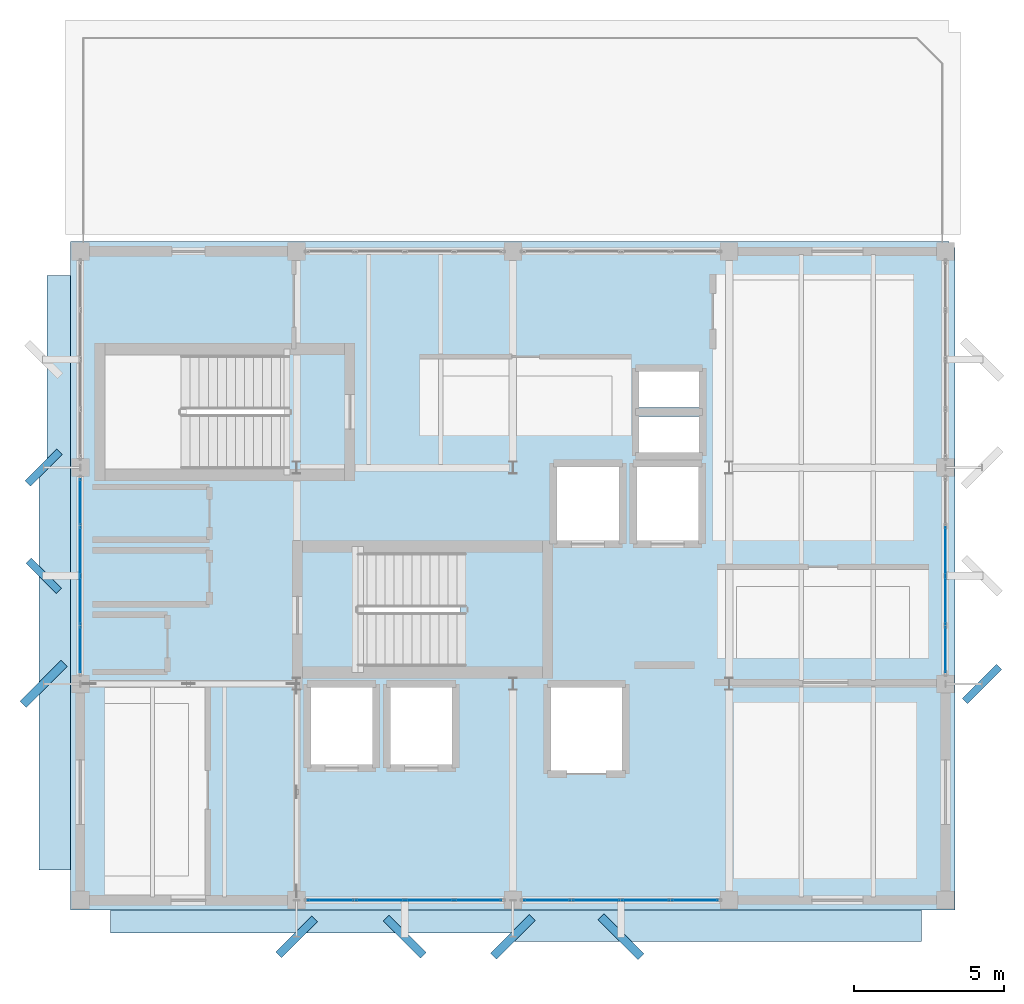
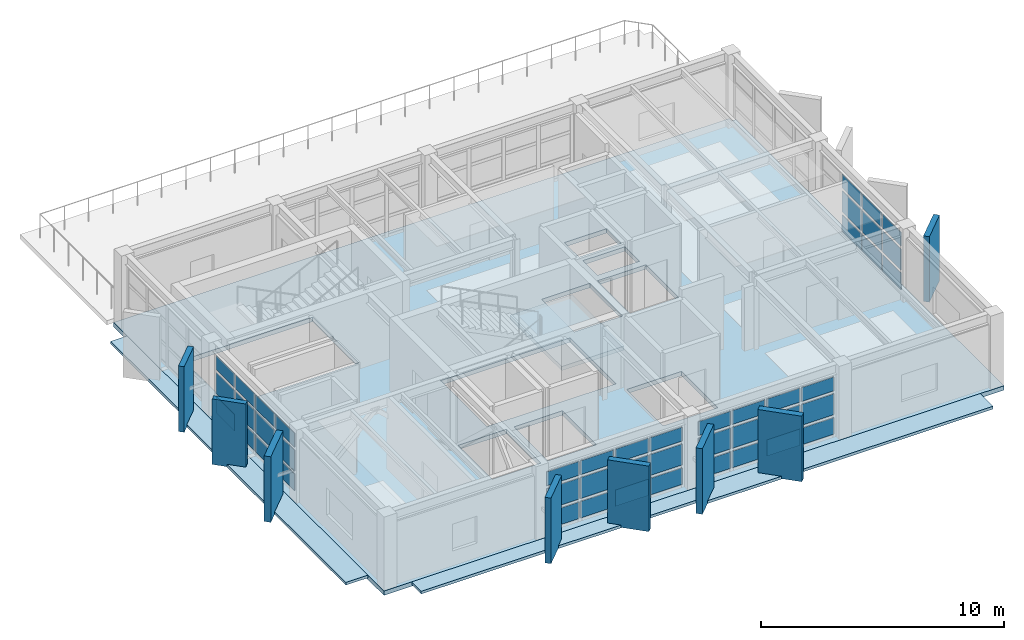
# One storey, part 9 of 16: 53 plates, 4 slabs, 5 elements without a shape of their own.
"""IFC4 building model written with IfcOpenShell, lengths in metres."""

import ifcopenshell
import ifcopenshell.guid

model = None  # the IFC model being written
_history = None  # IfcOwnerHistory: only IFC2X3 demands one
_inside = {}  # id of a spatial element -> (the spatial element, [elements in it])
_under = {}  # id of a project, library or spatial element -> (it, [spatial elements below it])
_declared = {}  # id of a project -> (the project, [libraries it declares])
_typed = {}  # id of a type object -> (the type object, [elements of that type])
_made_of = {}  # id of a material, layer set ... -> (it, [elements and type objects made of it])


def new_model(schema):
    """Start an empty IFC model of exactly this schema.

    Asked for "IFC4X3", IfcOpenShell would pick the latest addendum, in which some entities
    have other attributes; the version numbers below select the first issue.
    IFC2X3 requires an IfcOwnerHistory on every rooted entity: one is made here for all.
    """
    global model, _history
    if schema == "IFC4X3":
        model = ifcopenshell.file(schema_version=(4, 3, 0, 0))
    else:
        model = ifcopenshell.file(schema=schema)
    _inside.clear()
    _under.clear()
    _declared.clear()
    _typed.clear()
    _made_of.clear()
    _history = None
    if model.schema == "IFC2X3":
        org = make("IfcOrganization", Name="unknown")
        user = make(
            "IfcPersonAndOrganization",
            ThePerson=make("IfcPerson", FamilyName="unknown"),
            TheOrganization=org,
        )
        app = make(
            "IfcApplication",
            ApplicationDeveloper=org,
            Version="unknown",
            ApplicationFullName="unknown",
            ApplicationIdentifier="unknown",
        )
        _history = make(
            "IfcOwnerHistory",
            OwningUser=user,
            OwningApplication=app,
            ChangeAction="ADDED",
            CreationDate=0,
        )
    return model


def make(cls, **values):
    """One entity of the class cls with the attributes given. An attribute that is None is left unset."""
    return model.create_entity(
        cls, **{name: value for name, value in values.items() if value is not None}
    )


def rooted(cls, **values):
    """An entity with a GlobalId (a new one), such as an element, a storey or a relation."""
    return make(cls, GlobalId=ifcopenshell.guid.new(), OwnerHistory=_history, **values)


def si_unit(unit_type, name, prefix=None):
    """IfcSIUnit, for example si_unit("LENGTHUNIT", "METRE", prefix="MILLI")."""
    return make("IfcSIUnit", UnitType=unit_type, Prefix=prefix, Name=name)


def assignment(units):
    """IfcUnitAssignment: the units of a project."""
    return None if units is None else make("IfcUnitAssignment", Units=units)


def point(xyz):
    """IfcCartesianPoint."""
    return None if xyz is None else make("IfcCartesianPoint", Coordinates=xyz)


def direction(xyz):
    """IfcDirection."""
    return None if xyz is None else make("IfcDirection", DirectionRatios=xyz)


def frame(location, z_axis=None, x_axis=None):
    """IfcAxis2Placement3D, a coordinate frame: its origin and axes. An axis left out is left unset."""
    return make(
        "IfcAxis2Placement3D",
        Location=point(location),
        Axis=direction(z_axis),
        RefDirection=direction(x_axis),
    )


def frame_2d(location, x_axis=None):
    """IfcAxis2Placement2D, a coordinate frame in the plane: its origin and x axis."""
    return make(
        "IfcAxis2Placement2D", Location=point(location), RefDirection=direction(x_axis)
    )


def origin():
    """The frame at (0, 0, 0) with its axes left unset."""
    return frame((0.0, 0.0, 0.0))


def origin_2d():
    """The frame at (0, 0) in the plane with its x axis left unset."""
    return frame_2d((0.0, 0.0))


def place(relative_to, where):
    """IfcLocalPlacement: puts the frame where relative to a parent placement (None: the world)."""
    return make(
        "IfcLocalPlacement", PlacementRelTo=relative_to, RelativePlacement=where
    )


def context(
    kind, dimensions, precision=None, world=None, true_north=None, identifier=None
):
    """IfcGeometricRepresentationContext, for example the 3D "Model" context."""
    return make(
        "IfcGeometricRepresentationContext",
        ContextIdentifier=identifier,
        ContextType=kind,
        CoordinateSpaceDimension=dimensions,
        Precision=precision,
        WorldCoordinateSystem=world,
        TrueNorth=true_north,
    )


def subcontext(parent, identifier, kind, view, scale=None):
    """IfcGeometricRepresentationSubContext, for example "Body" below "Model"."""
    return make(
        "IfcGeometricRepresentationSubContext",
        ContextIdentifier=identifier,
        ContextType=kind,
        ParentContext=parent,
        TargetScale=scale,
        TargetView=view,
    )


def project(units=None, contexts=None):
    """IfcProject with its units and contexts."""
    return rooted(
        "IfcProject",
        Name="project",
        RepresentationContexts=contexts,
        UnitsInContext=assignment(units),
    )


def spatial(cls, under=None, at=None, **own):
    """A site, building, storey or space (cls), placed at a placement, below another one or the project."""
    s = rooted(cls, ObjectPlacement=at, **own)
    if under is not None:
        _under.setdefault(under.id(), (under, []))[1].append(s)
    return s


def polyline(points):
    """IfcPolyline through the points."""
    return make("IfcPolyline", Points=[point(p) for p in points])


def profile(cls, at=None, kind="AREA", **sizes):
    """A parametric profile (cls). Its sizes go by their IFC names, for example OverallWidth=200.0."""
    return make(cls, ProfileType=kind, Position=at, **sizes)


def rectangle(**sizes):
    """IfcRectangleProfileDef."""
    return profile("IfcRectangleProfileDef", **sizes)


def outline(outer, holes=None, kind="AREA"):
    """IfcArbitraryClosedProfileDef: a profile drawn as a closed curve; with holes, ...WithVoids."""
    if holes is None:
        return make("IfcArbitraryClosedProfileDef", ProfileType=kind, OuterCurve=outer)
    return make(
        "IfcArbitraryProfileDefWithVoids",
        ProfileType=kind,
        OuterCurve=outer,
        InnerCurves=holes,
    )


def extrude(swept, where, along, depth):
    """IfcExtrudedAreaSolid: the profile swept, set in the frame where, extruded along a direction by depth."""
    return make(
        "IfcExtrudedAreaSolid",
        SweptArea=swept,
        Position=where,
        ExtrudedDirection=direction(along),
        Depth=depth,
    )


def shape(context_of_items, identifier, shape_type, items):
    """IfcShapeRepresentation: the items that make up one representation, for example the "Body"."""
    return make(
        "IfcShapeRepresentation",
        ContextOfItems=context_of_items,
        RepresentationIdentifier=identifier,
        RepresentationType=shape_type,
        Items=items,
    )


def material(Name=None, Category=None):
    """IfcMaterial."""
    return make("IfcMaterial", Name=Name, Category=Category)


def layer(
    of_material, thickness, ventilated=None, Name=None, Category=None, Priority=None
):
    """IfcMaterialLayer: one layer of a wall or slab, of a material (None: an air gap)."""
    return make(
        "IfcMaterialLayer",
        Material=of_material,
        LayerThickness=thickness,
        IsVentilated=ventilated,
        Name=Name,
        Category=Category,
        Priority=Priority,
    )


def layer_set(layers, Name=None):
    """IfcMaterialLayerSet."""
    return make("IfcMaterialLayerSet", MaterialLayers=layers, LayerSetName=Name)


def made_of(thing, what):
    """Note that an element or type object is made of a material, layer set ...; save() writes the relation."""
    if what is not None:
        _made_of.setdefault(what.id(), (what, []))[1].append(thing)
    return thing


def type_object(cls, material=None, **own):
    """A type object (cls), such as IfcWallType, which elements share."""
    return made_of(rooted(cls, **own), material)


def element(
    cls,
    number,
    at=None,
    inside=None,
    cuts=None,
    type_object=None,
    material=None,
    context=None,
    identifier="Body",
    shape_type=None,
    held_by="IfcProductDefinitionShape",
    body=None,
    shapes=None,
    **own,
):
    """One element of the class cls, such as IfcWall. Its Tag is "e" and its number.

    at: its placement. inside: the storey or other place that contains it. cuts: it is an
    opening in that element (IfcRelVoidsElement). A single representation is given by context,
    identifier, shape_type and body (its items); several are given by shapes. held_by: the class
    of the entity that holds the representations. save() writes the other relations.
    """
    e = rooted(cls, Tag="e%d" % number, ObjectPlacement=at, **own)
    if body is not None:
        shapes = [shape(context, identifier, shape_type, body)]
    if shapes is not None:
        e.Representation = make(held_by, Representations=shapes)
    if inside is not None:
        _inside.setdefault(inside.id(), (inside, []))[1].append(e)
    if cuts is not None:
        rooted(
            "IfcRelVoidsElement", RelatingBuildingElement=cuts, RelatedOpeningElement=e
        )
    if type_object is not None:
        _typed.setdefault(type_object.id(), (type_object, []))[1].append(e)
    return made_of(e, material)


def aggregate(whole, parts):
    """IfcRelAggregates: a whole, such as a stair, and the parts it consists of."""
    return rooted("IfcRelAggregates", RelatingObject=whole, RelatedObjects=parts)


def save(model, path):
    """Write the relations noted so far, then the file.

    IfcRelAggregates (storeys below a building ...), IfcRelContainedInSpatialStructure (elements
    in a storey), IfcRelDefinesByType, IfcRelAssociatesMaterial and IfcRelDeclares: one each for
    every whole, place, type object, material and project.
    """
    for whole, parts in _under.values():
        aggregate(whole, parts)
    for where, things in _inside.values():
        rooted(
            "IfcRelContainedInSpatialStructure",
            RelatedElements=things,
            RelatingStructure=where,
        )
    for kind, things in _typed.values():
        rooted("IfcRelDefinesByType", RelatedObjects=things, RelatingType=kind)
    for what, things in _made_of.values():
        rooted("IfcRelAssociatesMaterial", RelatedObjects=things, RelatingMaterial=what)
    for by, libraries in _declared.values():
        rooted("IfcRelDeclares", RelatingContext=by, RelatedDefinitions=libraries)
    model.write(path)


model = new_model("IFC4")

# Units and contexts
model_context = context("Model", 3, precision=1e-05, world=origin(), true_north=direction((0.0, 1.0)))
body_context = subcontext(model_context, "Body", "Model", "MODEL_VIEW")
ifc_project = project(units=[si_unit("LENGTHUNIT", "METRE"), si_unit("AREAUNIT", "SQUARE_METRE"), si_unit("VOLUMEUNIT", "CUBIC_METRE"), si_unit("PLANEANGLEUNIT", "RADIAN"), si_unit("MASSUNIT", "GRAM", prefix="KILO")], contexts=[model_context])

# Site, building, storey
site_placement = place(None, origin())
site = spatial("IfcSite", under=ifc_project, at=site_placement, CompositionType="ELEMENT")
building_placement = place(site_placement, origin())
building = spatial("IfcBuilding", under=site, at=building_placement, Name="Kandorven Conservatory and Botanical Research Centre", CompositionType="ELEMENT")
storey_placement = place(building_placement, frame((0.0, 0.0, 44.39990234375)))
storey = spatial("IfcBuildingStorey", under=building, at=storey_placement, Name="L11", CompositionType="ELEMENT", Elevation=44.39990234375)

# Curtain wall, plates
ifc_material_1 = material(Name="Bronze anodised thermally broken aluminium", Category="aluminium")
ifc_layer_1 = layer(ifc_material_1, 0.179931640625)
ifc_layer_set_1 = layer_set([ifc_layer_1], Name="Bronze anodised thermally broken aluminium")
curtain_wall_type = type_object("IfcCurtainWallType", Name="CW_Unitised", PredefinedType="USERDEFINED", material=ifc_layer_set_1)
curtain_wall_1_placement = place(storey_placement, origin())
curtain_wall_1 = element("IfcCurtainWall", 1, at=curtain_wall_1_placement, inside=storey, type_object=curtain_wall_type, Name="Tower laboratory curtain wall CW-TWR-S-L11-2", ObjectType="UNITISED GLAZING", PredefinedType="USERDEFINED")
ifc_material_2 = material(Name="Double-glazed solar-control low-E glass", Category="glass")
ifc_layer_2 = layer(ifc_material_2, 0.028076171875)
ifc_layer_set_2 = layer_set([ifc_layer_2], Name="Double-glazed solar-control low-E glass")
plate_type_1 = type_object("IfcPlateType", Name="CW_Panel", PredefinedType="CURTAIN_PANEL", material=ifc_layer_set_2)
plate_1_placement = place(storey_placement, frame((14.344970703125, 6.0, 0.14990234375), z_axis=(0.0, 0.0, 1.0), x_axis=(1.0, 0.0, 0.0)))
plate_1 = element("IfcPlate", 2, at=plate_1_placement, type_object=plate_type_1, Name="CW-01 panel 1.1", PredefinedType="CURTAIN_PANEL", context=body_context, shape_type="SweptSolid", body=[
    extrude(rectangle(XDim=1.530029296875, YDim=0.028076171875, at=origin_2d()), origin(), (0.0, 0.0, 1.0), 0.824951171875),
])
plate_2_placement = place(storey_placement, frame((14.344970703125, 6.0, 1.125), z_axis=(0.0, 0.0, 1.0), x_axis=(1.0, 0.0, 0.0)))
plate_2 = element("IfcPlate", 3, at=plate_2_placement, type_object=plate_type_1, Name="CW-01 panel 1.2", PredefinedType="CURTAIN_PANEL", context=body_context, shape_type="SweptSolid", body=[
    extrude(rectangle(XDim=1.530029296875, YDim=0.028076171875, at=origin_2d()), origin(), (0.0, 0.0, 1.0), 1.050048828125),
])
plate_3_placement = place(storey_placement, frame((14.344970703125, 6.0, 2.3251953125), z_axis=(0.0, 0.0, 1.0), x_axis=(1.0, 0.0, 0.0)))
plate_3 = element("IfcPlate", 4, at=plate_3_placement, type_object=plate_type_1, Name="CW-01 panel 1.3", PredefinedType="CURTAIN_PANEL", context=body_context, shape_type="SweptSolid", body=[
    extrude(rectangle(XDim=1.530029296875, YDim=0.028076171875, at=origin_2d()), origin(), (0.0, 0.0, 1.0), 0.695068359375),
])
plate_4_placement = place(storey_placement, frame((15.97509765625, 6.0, 0.14990234375), z_axis=(0.0, 0.0, 1.0), x_axis=(1.0, 0.0, 0.0)))
plate_4 = element("IfcPlate", 5, at=plate_4_placement, type_object=plate_type_1, Name="CW-01 panel 2.1", PredefinedType="CURTAIN_PANEL", context=body_context, shape_type="SweptSolid", body=[
    extrude(rectangle(XDim=1.570068359375, YDim=0.028076171875, at=origin_2d()), origin(), (0.0, 0.0, 1.0), 0.824951171875),
])
plate_5_placement = place(storey_placement, frame((15.97509765625, 6.0, 1.125), z_axis=(0.0, 0.0, 1.0), x_axis=(1.0, 0.0, 0.0)))
plate_5 = element("IfcPlate", 6, at=plate_5_placement, type_object=plate_type_1, Name="CW-01 panel 2.2", PredefinedType="CURTAIN_PANEL", context=body_context, shape_type="SweptSolid", body=[
    extrude(rectangle(XDim=1.570068359375, YDim=0.028076171875, at=origin_2d()), origin(), (0.0, 0.0, 1.0), 1.050048828125),
])
plate_6_placement = place(storey_placement, frame((15.97509765625, 6.0, 2.3251953125), z_axis=(0.0, 0.0, 1.0), x_axis=(1.0, 0.0, 0.0)))
plate_6 = element("IfcPlate", 7, at=plate_6_placement, type_object=plate_type_1, Name="CW-01 panel 2.3", PredefinedType="CURTAIN_PANEL", context=body_context, shape_type="SweptSolid", body=[
    extrude(rectangle(XDim=1.570068359375, YDim=0.028076171875, at=origin_2d()), origin(), (0.0, 0.0, 1.0), 0.695068359375),
])
plate_7_placement = place(storey_placement, frame((17.625, 6.0, 0.14990234375), z_axis=(0.0, 0.0, 1.0), x_axis=(1.0, 0.0, 0.0)))
plate_7 = element("IfcPlate", 8, at=plate_7_placement, type_object=plate_type_1, Name="CW-01 panel 3.1", PredefinedType="CURTAIN_PANEL", context=body_context, shape_type="SweptSolid", body=[
    extrude(rectangle(XDim=1.570068359375, YDim=0.028076171875, at=origin_2d()), origin(), (0.0, 0.0, 1.0), 0.824951171875),
])
plate_8_placement = place(storey_placement, frame((17.625, 6.0, 1.125), z_axis=(0.0, 0.0, 1.0), x_axis=(1.0, 0.0, 0.0)))
plate_8 = element("IfcPlate", 9, at=plate_8_placement, type_object=plate_type_1, Name="CW-01 panel 3.2", PredefinedType="CURTAIN_PANEL", context=body_context, shape_type="SweptSolid", body=[
    extrude(rectangle(XDim=1.570068359375, YDim=0.028076171875, at=origin_2d()), origin(), (0.0, 0.0, 1.0), 1.050048828125),
])
plate_9_placement = place(storey_placement, frame((17.625, 6.0, 2.3251953125), z_axis=(0.0, 0.0, 1.0), x_axis=(1.0, 0.0, 0.0)))
plate_9 = element("IfcPlate", 10, at=plate_9_placement, type_object=plate_type_1, Name="CW-01 panel 3.3", PredefinedType="CURTAIN_PANEL", context=body_context, shape_type="SweptSolid", body=[
    extrude(rectangle(XDim=1.570068359375, YDim=0.028076171875, at=origin_2d()), origin(), (0.0, 0.0, 1.0), 0.695068359375),
])
plate_10_placement = place(storey_placement, frame((19.2548828125, 6.0, 0.14990234375), z_axis=(0.0, 0.0, 1.0), x_axis=(1.0, 0.0, 0.0)))
plate_10 = element("IfcPlate", 11, at=plate_10_placement, type_object=plate_type_1, Name="CW-01 panel 4.1", PredefinedType="CURTAIN_PANEL", context=body_context, shape_type="SweptSolid", body=[
    extrude(rectangle(XDim=1.530029296875, YDim=0.028076171875, at=origin_2d()), origin(), (0.0, 0.0, 1.0), 0.824951171875),
])
plate_11_placement = place(storey_placement, frame((19.2548828125, 6.0, 1.125), z_axis=(0.0, 0.0, 1.0), x_axis=(1.0, 0.0, 0.0)))
plate_11 = element("IfcPlate", 12, at=plate_11_placement, type_object=plate_type_1, Name="CW-01 panel 4.2", PredefinedType="CURTAIN_PANEL", context=body_context, shape_type="SweptSolid", body=[
    extrude(rectangle(XDim=1.530029296875, YDim=0.028076171875, at=origin_2d()), origin(), (0.0, 0.0, 1.0), 1.050048828125),
])
plate_12_placement = place(storey_placement, frame((19.2548828125, 6.0, 2.3251953125), z_axis=(0.0, 0.0, 1.0), x_axis=(1.0, 0.0, 0.0)))
plate_12 = element("IfcPlate", 13, at=plate_12_placement, type_object=plate_type_1, Name="CW-01 panel 4.3", PredefinedType="CURTAIN_PANEL", context=body_context, shape_type="SweptSolid", body=[
    extrude(rectangle(XDim=1.530029296875, YDim=0.028076171875, at=origin_2d()), origin(), (0.0, 0.0, 1.0), 0.695068359375),
])
aggregate(curtain_wall_1, [plate_1, plate_2, plate_3, plate_4, plate_5, plate_6, plate_7, plate_8, plate_9, plate_10, plate_11, plate_12])

curtain_wall_2_placement = place(storey_placement, origin())
curtain_wall_2 = element("IfcCurtainWall", 14, at=curtain_wall_2_placement, inside=storey, type_object=curtain_wall_type, Name="Tower laboratory curtain wall CW-TWR-S-L11-3", ObjectType="UNITISED GLAZING", PredefinedType="USERDEFINED")
plate_13_placement = place(storey_placement, frame((21.544921875, 6.0, 0.14990234375), z_axis=(0.0, 0.0, 1.0), x_axis=(1.0, 0.0, 0.0)))
plate_13 = element("IfcPlate", 15, at=plate_13_placement, type_object=plate_type_1, Name="CW-01 panel 1.1", PredefinedType="CURTAIN_PANEL", context=body_context, shape_type="SweptSolid", body=[
    extrude(rectangle(XDim=1.530029296875, YDim=0.028076171875, at=origin_2d()), origin(), (0.0, 0.0, 1.0), 0.824951171875),
])
plate_14_placement = place(storey_placement, frame((21.544921875, 6.0, 1.125), z_axis=(0.0, 0.0, 1.0), x_axis=(1.0, 0.0, 0.0)))
plate_14 = element("IfcPlate", 16, at=plate_14_placement, type_object=plate_type_1, Name="CW-01 panel 1.2", PredefinedType="CURTAIN_PANEL", context=body_context, shape_type="SweptSolid", body=[
    extrude(rectangle(XDim=1.530029296875, YDim=0.028076171875, at=origin_2d()), origin(), (0.0, 0.0, 1.0), 1.050048828125),
])
plate_15_placement = place(storey_placement, frame((21.544921875, 6.0, 2.3251953125), z_axis=(0.0, 0.0, 1.0), x_axis=(1.0, 0.0, 0.0)))
plate_15 = element("IfcPlate", 17, at=plate_15_placement, type_object=plate_type_1, Name="CW-01 panel 1.3", PredefinedType="CURTAIN_PANEL", context=body_context, shape_type="SweptSolid", body=[
    extrude(rectangle(XDim=1.530029296875, YDim=0.028076171875, at=origin_2d()), origin(), (0.0, 0.0, 1.0), 0.695068359375),
])
plate_16_placement = place(storey_placement, frame((23.175048828125, 6.0, 0.14990234375), z_axis=(0.0, 0.0, 1.0), x_axis=(1.0, 0.0, 0.0)))
plate_16 = element("IfcPlate", 18, at=plate_16_placement, type_object=plate_type_1, Name="CW-01 panel 2.1", PredefinedType="CURTAIN_PANEL", context=body_context, shape_type="SweptSolid", body=[
    extrude(rectangle(XDim=1.570068359375, YDim=0.028076171875, at=origin_2d()), origin(), (0.0, 0.0, 1.0), 0.824951171875),
])
plate_17_placement = place(storey_placement, frame((23.175048828125, 6.0, 1.125), z_axis=(0.0, 0.0, 1.0), x_axis=(1.0, 0.0, 0.0)))
plate_17 = element("IfcPlate", 19, at=plate_17_placement, type_object=plate_type_1, Name="CW-01 panel 2.2", PredefinedType="CURTAIN_PANEL", context=body_context, shape_type="SweptSolid", body=[
    extrude(rectangle(XDim=1.570068359375, YDim=0.028076171875, at=origin_2d()), origin(), (0.0, 0.0, 1.0), 1.050048828125),
])
plate_18_placement = place(storey_placement, frame((23.175048828125, 6.0, 2.3251953125), z_axis=(0.0, 0.0, 1.0), x_axis=(1.0, 0.0, 0.0)))
plate_18 = element("IfcPlate", 20, at=plate_18_placement, type_object=plate_type_1, Name="CW-01 panel 2.3", PredefinedType="CURTAIN_PANEL", context=body_context, shape_type="SweptSolid", body=[
    extrude(rectangle(XDim=1.570068359375, YDim=0.028076171875, at=origin_2d()), origin(), (0.0, 0.0, 1.0), 0.695068359375),
])
plate_19_placement = place(storey_placement, frame((24.824951171875, 6.0, 0.14990234375), z_axis=(0.0, 0.0, 1.0), x_axis=(1.0, 0.0, 0.0)))
plate_19 = element("IfcPlate", 21, at=plate_19_placement, type_object=plate_type_1, Name="CW-01 panel 3.1", PredefinedType="CURTAIN_PANEL", context=body_context, shape_type="SweptSolid", body=[
    extrude(rectangle(XDim=1.570068359375, YDim=0.028076171875, at=origin_2d()), origin(), (0.0, 0.0, 1.0), 0.824951171875),
])
plate_20_placement = place(storey_placement, frame((24.824951171875, 6.0, 1.125), z_axis=(0.0, 0.0, 1.0), x_axis=(1.0, 0.0, 0.0)))
plate_20 = element("IfcPlate", 22, at=plate_20_placement, type_object=plate_type_1, Name="CW-01 panel 3.2", PredefinedType="CURTAIN_PANEL", context=body_context, shape_type="SweptSolid", body=[
    extrude(rectangle(XDim=1.570068359375, YDim=0.028076171875, at=origin_2d()), origin(), (0.0, 0.0, 1.0), 1.050048828125),
])
plate_21_placement = place(storey_placement, frame((24.824951171875, 6.0, 2.3251953125), z_axis=(0.0, 0.0, 1.0), x_axis=(1.0, 0.0, 0.0)))
plate_21 = element("IfcPlate", 23, at=plate_21_placement, type_object=plate_type_1, Name="CW-01 panel 3.3", PredefinedType="CURTAIN_PANEL", context=body_context, shape_type="SweptSolid", body=[
    extrude(rectangle(XDim=1.570068359375, YDim=0.028076171875, at=origin_2d()), origin(), (0.0, 0.0, 1.0), 0.695068359375),
])
plate_22_placement = place(storey_placement, frame((26.455078125, 6.0, 0.14990234375), z_axis=(0.0, 0.0, 1.0), x_axis=(1.0, 0.0, 0.0)))
plate_22 = element("IfcPlate", 24, at=plate_22_placement, type_object=plate_type_1, Name="CW-01 panel 4.1", PredefinedType="CURTAIN_PANEL", context=body_context, shape_type="SweptSolid", body=[
    extrude(rectangle(XDim=1.530029296875, YDim=0.028076171875, at=origin_2d()), origin(), (0.0, 0.0, 1.0), 0.824951171875),
])
plate_23_placement = place(storey_placement, frame((26.455078125, 6.0, 1.125), z_axis=(0.0, 0.0, 1.0), x_axis=(1.0, 0.0, 0.0)))
plate_23 = element("IfcPlate", 25, at=plate_23_placement, type_object=plate_type_1, Name="CW-01 panel 4.2", PredefinedType="CURTAIN_PANEL", context=body_context, shape_type="SweptSolid", body=[
    extrude(rectangle(XDim=1.530029296875, YDim=0.028076171875, at=origin_2d()), origin(), (0.0, 0.0, 1.0), 1.050048828125),
])
plate_24_placement = place(storey_placement, frame((26.455078125, 6.0, 2.3251953125), z_axis=(0.0, 0.0, 1.0), x_axis=(1.0, 0.0, 0.0)))
plate_24 = element("IfcPlate", 26, at=plate_24_placement, type_object=plate_type_1, Name="CW-01 panel 4.3", PredefinedType="CURTAIN_PANEL", context=body_context, shape_type="SweptSolid", body=[
    extrude(rectangle(XDim=1.530029296875, YDim=0.028076171875, at=origin_2d()), origin(), (0.0, 0.0, 1.0), 0.695068359375),
])
aggregate(curtain_wall_2, [plate_13, plate_14, plate_15, plate_16, plate_17, plate_18, plate_19, plate_20, plate_21, plate_22, plate_23, plate_24])

curtain_wall_3_placement = place(storey_placement, origin())
curtain_wall_3 = element("IfcCurtainWall", 27, at=curtain_wall_3_placement, inside=storey, type_object=curtain_wall_type, Name="Tower laboratory curtain wall CW-TWR-W-L11-2", ObjectType="UNITISED GLAZING", PredefinedType="USERDEFINED")
plate_25_placement = place(storey_placement, frame((6.0, 14.344970703125, 0.14990234375), z_axis=(0.0, 0.0, 1.0), x_axis=(0.0, 1.0, 0.0)))
plate_25 = element("IfcPlate", 28, at=plate_25_placement, type_object=plate_type_1, Name="CW-01 panel 1.1", PredefinedType="CURTAIN_PANEL", context=body_context, shape_type="SweptSolid", body=[
    extrude(rectangle(XDim=1.530029296875, YDim=0.028076171875, at=origin_2d()), origin(), (0.0, 0.0, 1.0), 0.824951171875),
])
plate_26_placement = place(storey_placement, frame((6.0, 14.344970703125, 1.125), z_axis=(0.0, 0.0, 1.0), x_axis=(0.0, 1.0, 0.0)))
plate_26 = element("IfcPlate", 29, at=plate_26_placement, type_object=plate_type_1, Name="CW-01 panel 1.2", PredefinedType="CURTAIN_PANEL", context=body_context, shape_type="SweptSolid", body=[
    extrude(rectangle(XDim=1.530029296875, YDim=0.028076171875, at=origin_2d()), origin(), (0.0, 0.0, 1.0), 1.050048828125),
])
plate_27_placement = place(storey_placement, frame((6.0, 14.344970703125, 2.3251953125), z_axis=(0.0, 0.0, 1.0), x_axis=(0.0, 1.0, 0.0)))
plate_27 = element("IfcPlate", 30, at=plate_27_placement, type_object=plate_type_1, Name="CW-01 panel 1.3", PredefinedType="CURTAIN_PANEL", context=body_context, shape_type="SweptSolid", body=[
    extrude(rectangle(XDim=1.530029296875, YDim=0.028076171875, at=origin_2d()), origin(), (0.0, 0.0, 1.0), 0.695068359375),
])
plate_28_placement = place(storey_placement, frame((6.0, 15.97509765625, 0.14990234375), z_axis=(0.0, 0.0, 1.0), x_axis=(0.0, 1.0, 0.0)))
plate_28 = element("IfcPlate", 31, at=plate_28_placement, type_object=plate_type_1, Name="CW-01 panel 2.1", PredefinedType="CURTAIN_PANEL", context=body_context, shape_type="SweptSolid", body=[
    extrude(rectangle(XDim=1.570068359375, YDim=0.028076171875, at=origin_2d()), origin(), (0.0, 0.0, 1.0), 0.824951171875),
])
plate_29_placement = place(storey_placement, frame((6.0, 15.97509765625, 1.125), z_axis=(0.0, 0.0, 1.0), x_axis=(0.0, 1.0, 0.0)))
plate_29 = element("IfcPlate", 32, at=plate_29_placement, type_object=plate_type_1, Name="CW-01 panel 2.2", PredefinedType="CURTAIN_PANEL", context=body_context, shape_type="SweptSolid", body=[
    extrude(rectangle(XDim=1.570068359375, YDim=0.028076171875, at=origin_2d()), origin(), (0.0, 0.0, 1.0), 1.050048828125),
])
plate_30_placement = place(storey_placement, frame((6.0, 15.97509765625, 2.3251953125), z_axis=(0.0, 0.0, 1.0), x_axis=(0.0, 1.0, 0.0)))
plate_30 = element("IfcPlate", 33, at=plate_30_placement, type_object=plate_type_1, Name="CW-01 panel 2.3", PredefinedType="CURTAIN_PANEL", context=body_context, shape_type="SweptSolid", body=[
    extrude(rectangle(XDim=1.570068359375, YDim=0.028076171875, at=origin_2d()), origin(), (0.0, 0.0, 1.0), 0.695068359375),
])
plate_31_placement = place(storey_placement, frame((6.0, 17.625, 0.14990234375), z_axis=(0.0, 0.0, 1.0), x_axis=(0.0, 1.0, 0.0)))
plate_31 = element("IfcPlate", 34, at=plate_31_placement, type_object=plate_type_1, Name="CW-01 panel 3.1", PredefinedType="CURTAIN_PANEL", context=body_context, shape_type="SweptSolid", body=[
    extrude(rectangle(XDim=1.570068359375, YDim=0.028076171875, at=origin_2d()), origin(), (0.0, 0.0, 1.0), 0.824951171875),
])
plate_32_placement = place(storey_placement, frame((6.0, 17.625, 1.125), z_axis=(0.0, 0.0, 1.0), x_axis=(0.0, 1.0, 0.0)))
plate_32 = element("IfcPlate", 35, at=plate_32_placement, type_object=plate_type_1, Name="CW-01 panel 3.2", PredefinedType="CURTAIN_PANEL", context=body_context, shape_type="SweptSolid", body=[
    extrude(rectangle(XDim=1.570068359375, YDim=0.028076171875, at=origin_2d()), origin(), (0.0, 0.0, 1.0), 1.050048828125),
])
plate_33_placement = place(storey_placement, frame((6.0, 17.625, 2.3251953125), z_axis=(0.0, 0.0, 1.0), x_axis=(0.0, 1.0, 0.0)))
plate_33 = element("IfcPlate", 36, at=plate_33_placement, type_object=plate_type_1, Name="CW-01 panel 3.3", PredefinedType="CURTAIN_PANEL", context=body_context, shape_type="SweptSolid", body=[
    extrude(rectangle(XDim=1.570068359375, YDim=0.028076171875, at=origin_2d()), origin(), (0.0, 0.0, 1.0), 0.695068359375),
])
plate_34_placement = place(storey_placement, frame((6.0, 19.2548828125, 0.14990234375), z_axis=(0.0, 0.0, 1.0), x_axis=(0.0, 1.0, 0.0)))
plate_34 = element("IfcPlate", 37, at=plate_34_placement, type_object=plate_type_1, Name="CW-01 panel 4.1", PredefinedType="CURTAIN_PANEL", context=body_context, shape_type="SweptSolid", body=[
    extrude(rectangle(XDim=1.530029296875, YDim=0.028076171875, at=origin_2d()), origin(), (0.0, 0.0, 1.0), 0.824951171875),
])
plate_35_placement = place(storey_placement, frame((6.0, 19.2548828125, 1.125), z_axis=(0.0, 0.0, 1.0), x_axis=(0.0, 1.0, 0.0)))
plate_35 = element("IfcPlate", 38, at=plate_35_placement, type_object=plate_type_1, Name="CW-01 panel 4.2", PredefinedType="CURTAIN_PANEL", context=body_context, shape_type="SweptSolid", body=[
    extrude(rectangle(XDim=1.530029296875, YDim=0.028076171875, at=origin_2d()), origin(), (0.0, 0.0, 1.0), 1.050048828125),
])
plate_36_placement = place(storey_placement, frame((6.0, 19.2548828125, 2.3251953125), z_axis=(0.0, 0.0, 1.0), x_axis=(0.0, 1.0, 0.0)))
plate_36 = element("IfcPlate", 39, at=plate_36_placement, type_object=plate_type_1, Name="CW-01 panel 4.3", PredefinedType="CURTAIN_PANEL", context=body_context, shape_type="SweptSolid", body=[
    extrude(rectangle(XDim=1.530029296875, YDim=0.028076171875, at=origin_2d()), origin(), (0.0, 0.0, 1.0), 0.695068359375),
])
aggregate(curtain_wall_3, [plate_25, plate_26, plate_27, plate_28, plate_29, plate_30, plate_31, plate_32, plate_33, plate_34, plate_35, plate_36])

curtain_wall_4_placement = place(storey_placement, origin())
curtain_wall_4 = element("IfcCurtainWall", 40, at=curtain_wall_4_placement, inside=storey, type_object=curtain_wall_type, Name="Tower laboratory curtain wall CW-TWR-E-L11-2", ObjectType="UNITISED GLAZING", PredefinedType="USERDEFINED")
plate_37_placement = place(storey_placement, frame((34.800048828125, 14.344970703125, 0.14990234375), z_axis=(0.0, 0.0, 1.0), x_axis=(0.0, 1.0, 0.0)))
plate_37 = element("IfcPlate", 41, at=plate_37_placement, type_object=plate_type_1, Name="CW-01 panel 1.1", PredefinedType="CURTAIN_PANEL", context=body_context, shape_type="SweptSolid", body=[
    extrude(rectangle(XDim=1.530029296875, YDim=0.028076171875, at=origin_2d()), origin(), (0.0, 0.0, 1.0), 0.824951171875),
])
plate_38_placement = place(storey_placement, frame((34.800048828125, 14.344970703125, 1.125), z_axis=(0.0, 0.0, 1.0), x_axis=(0.0, 1.0, 0.0)))
plate_38 = element("IfcPlate", 42, at=plate_38_placement, type_object=plate_type_1, Name="CW-01 panel 1.2", PredefinedType="CURTAIN_PANEL", context=body_context, shape_type="SweptSolid", body=[
    extrude(rectangle(XDim=1.530029296875, YDim=0.028076171875, at=origin_2d()), origin(), (0.0, 0.0, 1.0), 1.050048828125),
])
plate_39_placement = place(storey_placement, frame((34.800048828125, 14.344970703125, 2.3251953125), z_axis=(0.0, 0.0, 1.0), x_axis=(0.0, 1.0, 0.0)))
plate_39 = element("IfcPlate", 43, at=plate_39_placement, type_object=plate_type_1, Name="CW-01 panel 1.3", PredefinedType="CURTAIN_PANEL", context=body_context, shape_type="SweptSolid", body=[
    extrude(rectangle(XDim=1.530029296875, YDim=0.028076171875, at=origin_2d()), origin(), (0.0, 0.0, 1.0), 0.695068359375),
])
plate_40_placement = place(storey_placement, frame((34.800048828125, 15.97509765625, 0.14990234375), z_axis=(0.0, 0.0, 1.0), x_axis=(0.0, 1.0, 0.0)))
plate_40 = element("IfcPlate", 44, at=plate_40_placement, type_object=plate_type_1, Name="CW-01 panel 2.1", PredefinedType="CURTAIN_PANEL", context=body_context, shape_type="SweptSolid", body=[
    extrude(rectangle(XDim=1.570068359375, YDim=0.028076171875, at=origin_2d()), origin(), (0.0, 0.0, 1.0), 0.824951171875),
])
plate_41_placement = place(storey_placement, frame((34.800048828125, 15.97509765625, 1.125), z_axis=(0.0, 0.0, 1.0), x_axis=(0.0, 1.0, 0.0)))
plate_41 = element("IfcPlate", 45, at=plate_41_placement, type_object=plate_type_1, Name="CW-01 panel 2.2", PredefinedType="CURTAIN_PANEL", context=body_context, shape_type="SweptSolid", body=[
    extrude(rectangle(XDim=1.570068359375, YDim=0.028076171875, at=origin_2d()), origin(), (0.0, 0.0, 1.0), 1.050048828125),
])
plate_42_placement = place(storey_placement, frame((34.800048828125, 15.97509765625, 2.3251953125), z_axis=(0.0, 0.0, 1.0), x_axis=(0.0, 1.0, 0.0)))
plate_42 = element("IfcPlate", 46, at=plate_42_placement, type_object=plate_type_1, Name="CW-01 panel 2.3", PredefinedType="CURTAIN_PANEL", context=body_context, shape_type="SweptSolid", body=[
    extrude(rectangle(XDim=1.570068359375, YDim=0.028076171875, at=origin_2d()), origin(), (0.0, 0.0, 1.0), 0.695068359375),
])
plate_43_placement = place(storey_placement, frame((34.800048828125, 17.625, 0.14990234375), z_axis=(0.0, 0.0, 1.0), x_axis=(0.0, 1.0, 0.0)))
plate_43 = element("IfcPlate", 47, at=plate_43_placement, type_object=plate_type_1, Name="CW-01 panel 3.1", PredefinedType="CURTAIN_PANEL", context=body_context, shape_type="SweptSolid", body=[
    extrude(rectangle(XDim=1.570068359375, YDim=0.028076171875, at=origin_2d()), origin(), (0.0, 0.0, 1.0), 0.824951171875),
])
plate_44_placement = place(storey_placement, frame((34.800048828125, 17.625, 1.125), z_axis=(0.0, 0.0, 1.0), x_axis=(0.0, 1.0, 0.0)))
plate_44 = element("IfcPlate", 48, at=plate_44_placement, type_object=plate_type_1, Name="CW-01 panel 3.2", PredefinedType="CURTAIN_PANEL", context=body_context, shape_type="SweptSolid", body=[
    extrude(rectangle(XDim=1.570068359375, YDim=0.028076171875, at=origin_2d()), origin(), (0.0, 0.0, 1.0), 1.050048828125),
])
plate_45_placement = place(storey_placement, frame((34.800048828125, 17.625, 2.3251953125), z_axis=(0.0, 0.0, 1.0), x_axis=(0.0, 1.0, 0.0)))
plate_45 = element("IfcPlate", 49, at=plate_45_placement, type_object=plate_type_1, Name="CW-01 panel 3.3", PredefinedType="CURTAIN_PANEL", context=body_context, shape_type="SweptSolid", body=[
    extrude(rectangle(XDim=1.570068359375, YDim=0.028076171875, at=origin_2d()), origin(), (0.0, 0.0, 1.0), 0.695068359375),
])
aggregate(curtain_wall_4, [plate_37, plate_38, plate_39, plate_40, plate_41, plate_42, plate_43, plate_44, plate_45])

# Plates
ifc_material_3 = material(Name="Precast concrete C40/50 (M50)", Category="concrete")
ifc_layer_3 = layer(ifc_material_3, 0.264892578125)
ifc_layer_set_3 = layer_set([ifc_layer_3], Name="Precast concrete C40/50 (M50)")
plate_type_2 = type_object("IfcPlateType", Name="Fin_BF-06", PredefinedType="USERDEFINED", material=ifc_layer_set_3)
plate_46_placement = place(storey_placement, frame((13.199951171875, 4.780029296875, -0.119873046875), z_axis=(0.0, 0.0, 1.0), x_axis=(0.707106781187, 0.707106781187, 0.0)))
element("IfcPlate", 50, at=plate_46_placement, inside=storey, type_object=plate_type_2, Name="Sculpted board-marked concrete brise-soleil fin BF-06", ObjectType="SOLAR FIN", PredefinedType="USERDEFINED", context=body_context, shape_type="SweptSolid", body=[
    extrude(rectangle(XDim=1.699951171875, YDim=0.264892578125, at=origin_2d()), origin(), (0.0, 0.0, 1.0), 3.2900390625),
])
ifc_material_4 = material(Name="Precast concrete C40/50 (M50)", Category="concrete")
ifc_layer_4 = layer(ifc_material_4, 0.27001953125)
ifc_layer_set_4 = layer_set([ifc_layer_4], Name="Precast concrete C40/50 (M50)")
plate_type_3 = type_object("IfcPlateType", Name="Fin_BF-07", PredefinedType="USERDEFINED", material=ifc_layer_set_4)
plate_47_placement = place(storey_placement, frame((16.800048828125, 4.780029296875, -0.119873046875), z_axis=(0.0, 0.0, 1.0), x_axis=(-0.707106781187, 0.707106781187, 0.0)))
element("IfcPlate", 51, at=plate_47_placement, inside=storey, type_object=plate_type_3, Name="Sculpted board-marked concrete brise-soleil fin BF-07", ObjectType="SOLAR FIN", PredefinedType="USERDEFINED", context=body_context, shape_type="SweptSolid", body=[
    extrude(rectangle(XDim=1.760009765625, YDim=0.27001953125, at=origin_2d()), origin(), (0.0, 0.0, 1.0), 3.2900390625),
])
ifc_material_5 = material(Name="Precast concrete C40/50 (M50)", Category="concrete")
ifc_layer_5 = layer(ifc_material_5, 0.27490234375)
ifc_layer_set_5 = layer_set([ifc_layer_5], Name="Precast concrete C40/50 (M50)")
plate_type_4 = type_object("IfcPlateType", Name="Fin_BF-08", PredefinedType="USERDEFINED", material=ifc_layer_set_5)
plate_48_placement = place(storey_placement, frame((20.39990234375, 4.780029296875, -0.119873046875), z_axis=(0.0, 0.0, 1.0), x_axis=(0.707106781187, 0.707106781187, 0.0)))
element("IfcPlate", 52, at=plate_48_placement, inside=storey, type_object=plate_type_4, Name="Sculpted board-marked concrete brise-soleil fin BF-08", ObjectType="SOLAR FIN", PredefinedType="USERDEFINED", context=body_context, shape_type="SweptSolid", body=[
    extrude(rectangle(XDim=1.820068359375, YDim=0.27490234375, at=origin_2d()), origin(), (0.0, 0.0, 1.0), 3.2900390625),
])
ifc_material_6 = material(Name="Precast concrete C40/50 (M50)", Category="concrete")
ifc_layer_6 = layer(ifc_material_6, 0.280029296875)
ifc_layer_set_6 = layer_set([ifc_layer_6], Name="Precast concrete C40/50 (M50)")
plate_type_5 = type_object("IfcPlateType", Name="Fin_BF-09", PredefinedType="USERDEFINED", material=ifc_layer_set_6)
plate_49_placement = place(storey_placement, frame((24.0, 4.780029296875, -0.119873046875), z_axis=(0.0, 0.0, 1.0), x_axis=(-0.707106781187, 0.707106781187, 0.0)))
element("IfcPlate", 53, at=plate_49_placement, inside=storey, type_object=plate_type_5, Name="Sculpted board-marked concrete brise-soleil fin BF-09", ObjectType="SOLAR FIN", PredefinedType="USERDEFINED", context=body_context, shape_type="SweptSolid", body=[
    extrude(rectangle(XDim=1.8798828125, YDim=0.280029296875, at=origin_2d()), origin(), (0.0, 0.0, 1.0), 3.2900390625),
])
ifc_material_7 = material(Name="Precast concrete C40/50 (M50)", Category="concrete")
ifc_layer_7 = layer(ifc_material_7, 0.284912109375)
ifc_layer_set_7 = layer_set([ifc_layer_7], Name="Precast concrete C40/50 (M50)")
plate_type_6 = type_object("IfcPlateType", Name="Fin_BF-10", PredefinedType="USERDEFINED", material=ifc_layer_set_7)
plate_50_placement = place(storey_placement, frame((4.780029296875, 13.199951171875, -0.119873046875), z_axis=(0.0, 0.0, 1.0), x_axis=(0.707106781187, 0.707106781187, 0.0)))
element("IfcPlate", 54, at=plate_50_placement, inside=storey, type_object=plate_type_6, Name="Sculpted board-marked concrete brise-soleil fin BF-10", ObjectType="SOLAR FIN", PredefinedType="USERDEFINED", context=body_context, shape_type="SweptSolid", body=[
    extrude(rectangle(XDim=1.93994140625, YDim=0.284912109375, at=origin_2d()), origin(), (0.0, 0.0, 1.0), 3.2900390625),
])
ifc_material_8 = material(Name="Precast concrete C40/50 (M50)", Category="concrete")
ifc_layer_8 = layer(ifc_material_8, 0.241943359375)
ifc_layer_set_8 = layer_set([ifc_layer_8], Name="Precast concrete C40/50 (M50)")
plate_type_7 = type_object("IfcPlateType", Name="Fin_BF-11", PredefinedType="USERDEFINED", material=ifc_layer_set_8)
plate_51_placement = place(storey_placement, frame((4.780029296875, 16.800048828125, -0.119873046875), z_axis=(0.0, 0.0, 1.0), x_axis=(-0.707106781187, 0.707106781187, 0.0)))
element("IfcPlate", 55, at=plate_51_placement, inside=storey, type_object=plate_type_7, Name="Sculpted board-marked concrete brise-soleil fin BF-11", ObjectType="SOLAR FIN", PredefinedType="USERDEFINED", context=body_context, shape_type="SweptSolid", body=[
    extrude(rectangle(XDim=1.429931640625, YDim=0.241943359375, at=origin_2d()), origin(), (0.0, 0.0, 1.0), 3.2900390625),
])
ifc_material_9 = material(Name="Precast concrete C40/50 (M50)", Category="concrete")
ifc_layer_9 = layer(ifc_material_9, 0.248046875)
ifc_layer_set_9 = layer_set([ifc_layer_9], Name="Precast concrete C40/50 (M50)")
plate_type_8 = type_object("IfcPlateType", Name="Fin_BF-12", PredefinedType="USERDEFINED", material=ifc_layer_set_9)
plate_52_placement = place(storey_placement, frame((4.780029296875, 20.39990234375, -0.119873046875), z_axis=(0.0, 0.0, 1.0), x_axis=(0.707106781187, 0.707106781187, 0.0)))
element("IfcPlate", 56, at=plate_52_placement, inside=storey, type_object=plate_type_8, Name="Sculpted board-marked concrete brise-soleil fin BF-12", ObjectType="SOLAR FIN", PredefinedType="USERDEFINED", context=body_context, shape_type="SweptSolid", body=[
    extrude(rectangle(XDim=1.489990234375, YDim=0.248046875, at=origin_2d()), origin(), (0.0, 0.0, 1.0), 3.2900390625),
])
ifc_material_10 = material(Name="Precast concrete C40/50 (M50)", Category="concrete")
ifc_layer_10 = layer(ifc_material_10, 0.256103515625)
ifc_layer_set_10 = layer_set([ifc_layer_10], Name="Precast concrete C40/50 (M50)")
plate_type_9 = type_object("IfcPlateType", Name="Fin_BF-14", PredefinedType="USERDEFINED", material=ifc_layer_set_10)
plate_53_placement = place(storey_placement, frame((36.02001953125, 13.199951171875, -0.119873046875), z_axis=(0.0, 0.0, 1.0), x_axis=(0.707106781187, 0.707106781187, 0.0)))
element("IfcPlate", 57, at=plate_53_placement, inside=storey, type_object=plate_type_9, Name="Sculpted board-marked concrete brise-soleil fin BF-14", ObjectType="SOLAR FIN", PredefinedType="USERDEFINED", context=body_context, shape_type="SweptSolid", body=[
    extrude(rectangle(XDim=1.610107421875, YDim=0.256103515625, at=origin_2d()), origin(), (0.0, 0.0, 1.0), 3.2900390625),
])

# Slabs
ifc_material_11 = material(Name="Concrete C32/40 (M40)", Category="concrete")
ifc_layer_11 = layer(ifc_material_11, 0.219970703125)
ifc_layer_set_11 = layer_set([ifc_layer_11], Name="Concrete C32/40 (M40)")
slab_type_1 = type_object("IfcSlabType", Name="Slab_SL-09", PredefinedType="FLOOR", material=ifc_layer_set_11)
slab_1_placement = place(storey_placement, frame((0.0, 0.0, -0.219970703125)))
element("IfcSlab", 58, at=slab_1_placement, inside=storey, type_object=slab_type_1, Name="Tower floor slab L11", PredefinedType="FLOOR", context=body_context, shape_type="SweptSolid", body=[
    extrude(outline(polyline([(5.679931640625, 5.679931640625), (35.1201171875, 5.679931640625), (35.1201171875, 27.719970703125), (34.919921875, 27.719970703125), (34.919921875, 27.919921875), (5.679931640625, 27.919921875), (5.679931640625, 5.679931640625)]), holes=[polyline([(15.239990234375, 13.780029296875), (21.3798828125, 13.780029296875), (21.3798828125, 17.570068359375), (15.239990234375, 17.570068359375), (15.239990234375, 13.780029296875)]), polyline([(12.9599609375, 24.14990234375), (6.820068359375, 24.14990234375), (6.820068359375, 20.360107421875), (12.9599609375, 20.360107421875), (12.9599609375, 24.14990234375)]), polyline([(21.75, 17.85009765625), (24.050048828125, 17.85009765625), (24.050048828125, 20.550048828125), (21.75, 20.550048828125), (21.75, 17.85009765625)]), polyline([(24.39990234375, 17.85009765625), (26.699951171875, 17.85009765625), (26.699951171875, 20.550048828125), (24.39990234375, 20.550048828125), (24.39990234375, 17.85009765625)]), polyline([(13.550048828125, 10.39990234375), (15.85009765625, 10.39990234375), (15.85009765625, 13.199951171875), (13.550048828125, 13.199951171875), (13.550048828125, 10.39990234375)]), polyline([(16.199951171875, 10.39990234375), (18.5, 10.39990234375), (18.5, 13.199951171875), (16.199951171875, 13.199951171875), (16.199951171875, 10.39990234375)]), polyline([(21.550048828125, 10.199951171875), (24.14990234375, 10.199951171875), (24.14990234375, 13.199951171875), (21.550048828125, 13.199951171875), (21.550048828125, 10.199951171875)]), polyline([(24.60009765625, 20.89990234375), (26.60009765625, 20.89990234375), (26.60009765625, 22.10009765625), (24.60009765625, 22.10009765625), (24.60009765625, 20.89990234375)]), polyline([(24.60009765625, 22.39990234375), (26.60009765625, 22.39990234375), (26.60009765625, 23.60009765625), (24.60009765625, 23.60009765625), (24.60009765625, 22.39990234375)])]), origin(), (0.0, 0.0, 1.0), 0.219970703125),
])
ifc_material_12 = material(Name="Concrete C32/40 (M40)", Category="concrete")
ifc_layer_12 = layer(ifc_material_12, 0.139892578125)
ifc_layer_set_12 = layer_set([ifc_layer_12], Name="Concrete C32/40 (M40)")
slab_type_2 = type_object("IfcSlabType", Name="Slab_SL-16", PredefinedType="FLOOR", material=ifc_layer_set_12)
slab_2_placement = place(storey_placement, frame((0.0, 0.0, -0.139892578125)))
element("IfcSlab", 59, at=slab_2_placement, inside=storey, type_object=slab_type_2, Name="Tower south sculpted concrete solar-hood slab L11", PredefinedType="FLOOR", context=body_context, shape_type="SweptSolid", body=[
    extrude(outline(polyline([(7.0, 5.679931640625), (34.0, 5.679931640625), (34.0, 4.6298828125), (20.39990234375, 4.6298828125), (20.39990234375, 4.89990234375), (7.0, 4.89990234375), (7.0, 5.679931640625)])), origin(), (0.0, 0.0, 1.0), 0.139892578125),
])
slab_3_placement = place(storey_placement, frame((0.0, 0.0, -0.139892578125)))
element("IfcSlab", 60, at=slab_3_placement, inside=storey, type_object=slab_type_2, Name="Tower west sculpted concrete solar-hood slab L11", PredefinedType="FLOOR", context=body_context, shape_type="SweptSolid", body=[
    extrude(outline(polyline([(4.6298828125, 7.0), (5.679931640625, 7.0), (5.679931640625, 26.800048828125), (4.89990234375, 26.800048828125), (4.89990234375, 20.39990234375), (4.6298828125, 20.39990234375), (4.6298828125, 7.0)])), origin(), (0.0, 0.0, 1.0), 0.139892578125),
])

# Stair, slab
ifc_material_13 = material(Name="Concrete C32/40 (M40)", Category="concrete")
stair_type = type_object("IfcStairType", Name="Stair_1820", PredefinedType="HALF_TURN_STAIR", material=ifc_material_13)
stair_placement = place(storey_placement, origin())
stair = element("IfcStair", 61, at=stair_placement, inside=storey, type_object=stair_type, Name="L11 Tower Fire Stair ST-T1", PredefinedType="HALF_TURN_STAIR")
ifc_material_14 = material(Name="Concrete C32/40 (M40)", Category="concrete")
ifc_layer_13 = layer(ifc_material_14, 0.199951171875)
ifc_layer_set_13 = layer_set([ifc_layer_13], Name="Concrete C32/40 (M40)")
slab_type_3 = type_object("IfcSlabType", Name="StairLanding_200", PredefinedType="LANDING", material=ifc_layer_set_13)
slab_4_placement = place(storey_placement, frame((0.0, 0.0, 1.75)))
slab_4 = element("IfcSlab", 62, at=slab_4_placement, type_object=slab_type_3, Name="ST-T1 landing 1", PredefinedType="LANDING", context=body_context, shape_type="SweptSolid", body=[
    extrude(outline(polyline([(18.659423828125, 13.5400390625), (21.6201171875, 13.5400390625), (21.6201171875, 17.81005859375), (18.659423828125, 17.81005859375), (18.659423828125, 13.5400390625)])), origin(), (0.0, 0.0, 1.0), 0.2001953125),
])
aggregate(stair, [slab_4])

save(model, "model.ifc")
